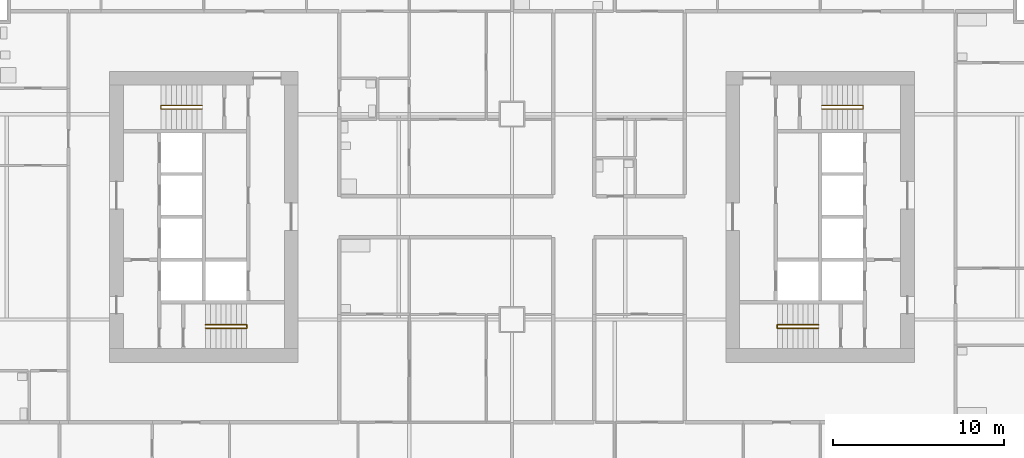
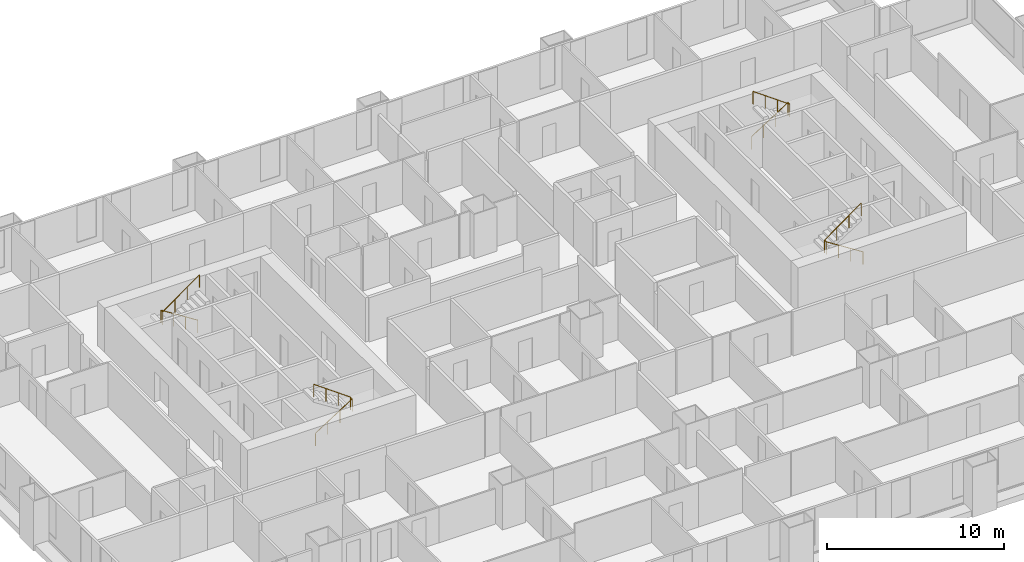
# One storey, part 13 of 14: 4 railings.
"""IFC4 building model written with IfcOpenShell, lengths in metres."""

from ifc_helpers import new_model, si_unit, direction, frame, origin, origin_2d, place, context, subcontext, project, spatial, circle, extrude, material, type_object, element, save


model = new_model("IFC4")

# Units and contexts
model_context = context("Model", 3, precision=1e-05, world=origin(), true_north=direction((0.0, 1.0)))
body_context = subcontext(model_context, "Body", "Model", "MODEL_VIEW")
ifc_project = project(units=[si_unit("LENGTHUNIT", "METRE"), si_unit("AREAUNIT", "SQUARE_METRE"), si_unit("VOLUMEUNIT", "CUBIC_METRE"), si_unit("PLANEANGLEUNIT", "RADIAN"), si_unit("MASSUNIT", "GRAM", prefix="KILO")], contexts=[model_context])

# Site, building, storey
site_placement = place(None, origin())
site = spatial("IfcSite", under=ifc_project, at=site_placement, CompositionType="ELEMENT")
building_placement = place(site_placement, origin())
building = spatial("IfcBuilding", under=site, at=building_placement, Name="Kitamizu Gate Tower and Museum", CompositionType="ELEMENT")
storey_placement = place(building_placement, frame((0.0, 0.0, 85.199951171875)))
storey = spatial("IfcBuildingStorey", under=building, at=storey_placement, Name="L21", CompositionType="ELEMENT", Elevation=85.199951171875)

# Railings
ifc_material = material(Name="Stainless steel SUS304", Category="steel")
railing_type = type_object("IfcRailingType", Name="Stair handrail 900", PredefinedType="HANDRAIL", material=ifc_material)
railing_1_placement = place(storey_placement, frame((18.10009765625, 23.5, 0.191650390625)))
element("IfcRailing", 1, at=railing_1_placement, inside=storey, type_object=railing_type, Name="Stair handrail ST1", PredefinedType="HANDRAIL", context=body_context, shape_type="SweptSolid", body=[
    extrude(circle(Radius=0.02392578125, at=origin_2d()), frame((0.0, 0.0, 0.8759765625), z_axis=(0.842668169335, 0.0, 0.538433242278), x_axis=(0.0, 1.0, 0.0)), (0.0, 0.0, 1.0), 2.847900390625),
    extrude(circle(Radius=0.02392578125, at=origin_2d()), frame((2.39990234375, 0.0, 2.4091796875), z_axis=(0.0, 1.0, 0.0), x_axis=(-1.0, 0.0, 0.0)), (0.0, 0.0, 1.0), 0.199951171875),
    extrude(circle(Radius=0.02392578125, at=origin_2d()), frame((2.39990234375, 0.199951171875, 2.4091796875), z_axis=(-0.81202760531, 0.0, 0.583619026604), x_axis=(0.0, -1.0, 0.0)), (0.0, 0.0, 1.0), 2.955322265625),
    extrude(circle(Radius=0.02099609375, at=origin_2d()), origin(), (0.0, 0.0, 1.0), 0.851806640625),
    extrude(circle(Radius=0.02099609375, at=origin_2d()), frame((0.800048828125, 0.0, 0.51123046875)), (0.0, 0.0, 1.0), 0.851806640625),
    extrude(circle(Radius=0.02099609375, at=origin_2d()), frame((1.599853515625, 0.0, 1.022216796875)), (0.0, 0.0, 1.0), 0.851806640625),
    extrude(circle(Radius=0.02099609375, at=origin_2d()), frame((2.39990234375, 0.0, 1.533447265625)), (0.0, 0.0, 1.0), 0.851806640625),
    extrude(circle(Radius=0.02099609375, at=origin_2d()), frame((2.39990234375, 0.199951171875, 1.533447265625)), (0.0, 0.0, 1.0), 0.851806640625),
    extrude(circle(Radius=0.02099609375, at=origin_2d()), frame((1.599853515625, 0.199951171875, 2.1083984375)), (0.0, 0.0, 1.0), 0.851806640625),
    extrude(circle(Radius=0.02099609375, at=origin_2d()), frame((0.800048828125, 0.199951171875, 2.683349609375)), (0.0, 0.0, 1.0), 0.851806640625),
    extrude(circle(Radius=0.02099609375, at=origin_2d()), frame((0.0, 0.199951171875, 3.25830078125)), (0.0, 0.0, 1.0), 0.851806640625),
])
railing_2_placement = place(storey_placement, frame((17.89990234375, 36.5, 0.191650390625)))
element("IfcRailing", 2, at=railing_2_placement, inside=storey, type_object=railing_type, Name="Stair handrail ST2", PredefinedType="HANDRAIL", context=body_context, shape_type="SweptSolid", body=[
    extrude(circle(Radius=0.02392578125, at=origin_2d()), frame((0.0, 0.0, 0.8759765625), z_axis=(-0.842668169335, 0.0, 0.538433242278), x_axis=(0.0, -1.0, 0.0)), (0.0, 0.0, 1.0), 2.847900390625),
    extrude(circle(Radius=0.02392578125, at=origin_2d()), frame((-2.39990234375, 0.0, 2.4091796875), z_axis=(0.0, -1.0, 0.0), x_axis=(1.0, 0.0, 0.0)), (0.0, 0.0, 1.0), 0.199951171875),
    extrude(circle(Radius=0.02392578125, at=origin_2d()), frame((-2.39990234375, -0.199951171875, 2.4091796875), z_axis=(0.81202760531, 0.0, 0.583619026604), x_axis=(0.0, 1.0, 0.0)), (0.0, 0.0, 1.0), 2.955322265625),
    extrude(circle(Radius=0.02099609375, at=origin_2d()), origin(), (0.0, 0.0, 1.0), 0.851806640625),
    extrude(circle(Radius=0.02099609375, at=origin_2d()), frame((-0.800048828125, 0.0, 0.51123046875)), (0.0, 0.0, 1.0), 0.851806640625),
    extrude(circle(Radius=0.02099609375, at=origin_2d()), frame((-1.599853515625, 0.0, 1.022216796875)), (0.0, 0.0, 1.0), 0.851806640625),
    extrude(circle(Radius=0.02099609375, at=origin_2d()), frame((-2.39990234375, 0.0, 1.533447265625)), (0.0, 0.0, 1.0), 0.851806640625),
    extrude(circle(Radius=0.02099609375, at=origin_2d()), frame((-2.39990234375, -0.199951171875, 1.533447265625)), (0.0, 0.0, 1.0), 0.851806640625),
    extrude(circle(Radius=0.02099609375, at=origin_2d()), frame((-1.599853515625, -0.199951171875, 2.1083984375)), (0.0, 0.0, 1.0), 0.851806640625),
    extrude(circle(Radius=0.02099609375, at=origin_2d()), frame((-0.800048828125, -0.199951171875, 2.683349609375)), (0.0, 0.0, 1.0), 0.851806640625),
    extrude(circle(Radius=0.02099609375, at=origin_2d()), frame((0.0, -0.199951171875, 3.25830078125)), (0.0, 0.0, 1.0), 0.851806640625),
])
railing_3_placement = place(storey_placement, frame((53.89990234375, 23.5, 0.191650390625)))
element("IfcRailing", 3, at=railing_3_placement, inside=storey, type_object=railing_type, Name="Stair handrail ST3", PredefinedType="HANDRAIL", context=body_context, shape_type="SweptSolid", body=[
    extrude(circle(Radius=0.02392578125, at=origin_2d()), frame((0.0, 0.0, 0.8759765625), z_axis=(-0.842668169335, 0.0, 0.538433242278), x_axis=(0.0, -1.0, 0.0)), (0.0, 0.0, 1.0), 2.847900390625),
    extrude(circle(Radius=0.02392578125, at=origin_2d()), frame((-2.39990234375, 0.0, 2.4091796875), z_axis=(0.0, 1.0, 0.0), x_axis=(-1.0, 0.0, 0.0)), (0.0, 0.0, 1.0), 0.199951171875),
    extrude(circle(Radius=0.02392578125, at=origin_2d()), frame((-2.39990234375, 0.199951171875, 2.4091796875), z_axis=(0.81202760531, 0.0, 0.583619026604), x_axis=(0.0, 1.0, 0.0)), (0.0, 0.0, 1.0), 2.955322265625),
    extrude(circle(Radius=0.02099609375, at=origin_2d()), origin(), (0.0, 0.0, 1.0), 0.851806640625),
    extrude(circle(Radius=0.02099609375, at=origin_2d()), frame((-0.800048828125, 0.0, 0.51123046875)), (0.0, 0.0, 1.0), 0.851806640625),
    extrude(circle(Radius=0.02099609375, at=origin_2d()), frame((-1.599853515625, 0.0, 1.022216796875)), (0.0, 0.0, 1.0), 0.851806640625),
    extrude(circle(Radius=0.02099609375, at=origin_2d()), frame((-2.39990234375, 0.0, 1.533447265625)), (0.0, 0.0, 1.0), 0.851806640625),
    extrude(circle(Radius=0.02099609375, at=origin_2d()), frame((-2.39990234375, 0.199951171875, 1.533447265625)), (0.0, 0.0, 1.0), 0.851806640625),
    extrude(circle(Radius=0.02099609375, at=origin_2d()), frame((-1.599853515625, 0.199951171875, 2.1083984375)), (0.0, 0.0, 1.0), 0.851806640625),
    extrude(circle(Radius=0.02099609375, at=origin_2d()), frame((-0.800048828125, 0.199951171875, 2.683349609375)), (0.0, 0.0, 1.0), 0.851806640625),
    extrude(circle(Radius=0.02099609375, at=origin_2d()), frame((0.0, 0.199951171875, 3.25830078125)), (0.0, 0.0, 1.0), 0.851806640625),
])
railing_4_placement = place(storey_placement, frame((54.10009765625, 36.5, 0.191650390625)))
element("IfcRailing", 4, at=railing_4_placement, inside=storey, type_object=railing_type, Name="Stair handrail ST4", PredefinedType="HANDRAIL", context=body_context, shape_type="SweptSolid", body=[
    extrude(circle(Radius=0.02392578125, at=origin_2d()), frame((0.0, 0.0, 0.8759765625), z_axis=(0.842668169335, 0.0, 0.538433242278), x_axis=(0.0, 1.0, 0.0)), (0.0, 0.0, 1.0), 2.847900390625),
    extrude(circle(Radius=0.02392578125, at=origin_2d()), frame((2.39990234375, 0.0, 2.4091796875), z_axis=(0.0, -1.0, 0.0), x_axis=(1.0, 0.0, 0.0)), (0.0, 0.0, 1.0), 0.199951171875),
    extrude(circle(Radius=0.02392578125, at=origin_2d()), frame((2.39990234375, -0.199951171875, 2.4091796875), z_axis=(-0.81202760531, 0.0, 0.583619026604), x_axis=(0.0, -1.0, 0.0)), (0.0, 0.0, 1.0), 2.955322265625),
    extrude(circle(Radius=0.02099609375, at=origin_2d()), origin(), (0.0, 0.0, 1.0), 0.851806640625),
    extrude(circle(Radius=0.02099609375, at=origin_2d()), frame((0.800048828125, 0.0, 0.51123046875)), (0.0, 0.0, 1.0), 0.851806640625),
    extrude(circle(Radius=0.02099609375, at=origin_2d()), frame((1.599853515625, 0.0, 1.022216796875)), (0.0, 0.0, 1.0), 0.851806640625),
    extrude(circle(Radius=0.02099609375, at=origin_2d()), frame((2.39990234375, 0.0, 1.533447265625)), (0.0, 0.0, 1.0), 0.851806640625),
    extrude(circle(Radius=0.02099609375, at=origin_2d()), frame((2.39990234375, -0.199951171875, 1.533447265625)), (0.0, 0.0, 1.0), 0.851806640625),
    extrude(circle(Radius=0.02099609375, at=origin_2d()), frame((1.599853515625, -0.199951171875, 2.1083984375)), (0.0, 0.0, 1.0), 0.851806640625),
    extrude(circle(Radius=0.02099609375, at=origin_2d()), frame((0.800048828125, -0.199951171875, 2.683349609375)), (0.0, 0.0, 1.0), 0.851806640625),
    extrude(circle(Radius=0.02099609375, at=origin_2d()), frame((0.0, -0.199951171875, 3.25830078125)), (0.0, 0.0, 1.0), 0.851806640625),
])

save(model, "model.ifc")
